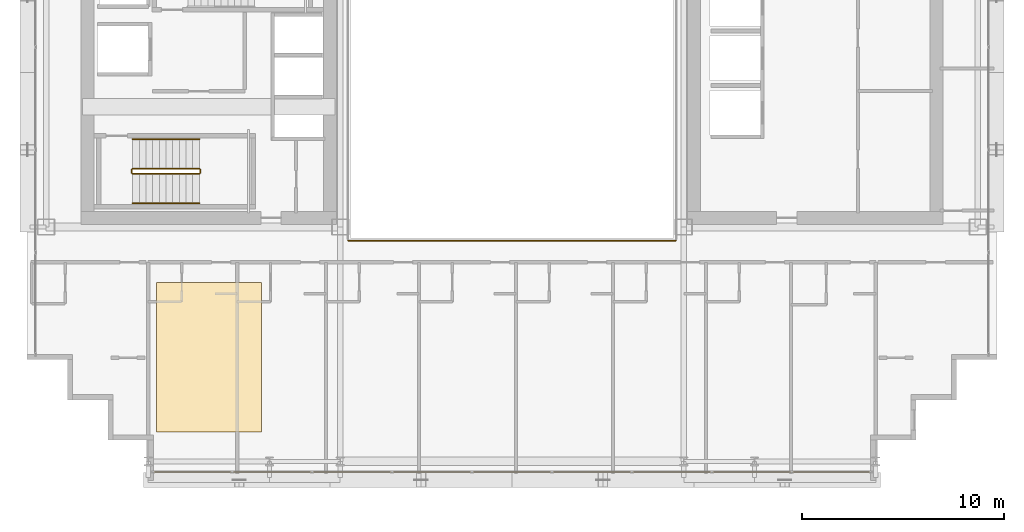
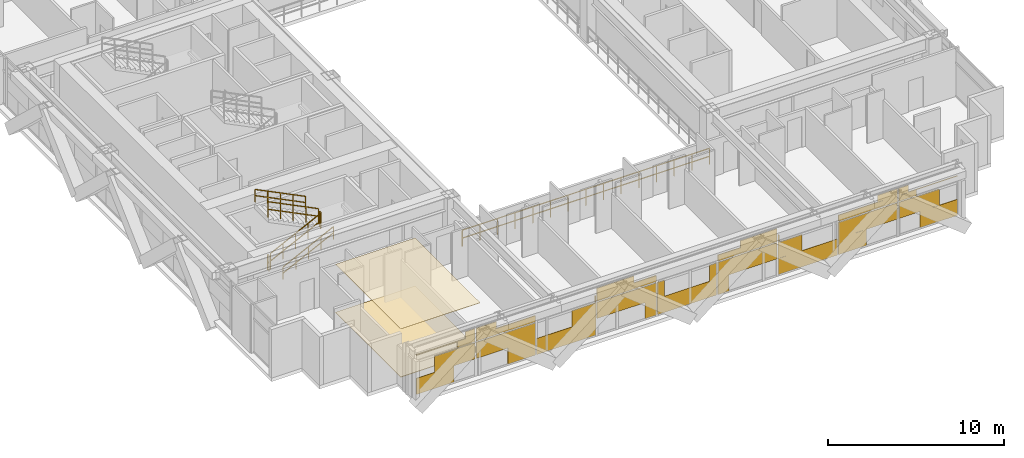
# One storey, part 33 of 36: 7 railings, 3 coverings.
"""IFC4 building model written with IfcOpenShell, lengths in metres."""

from ifc_helpers import new_model, si_unit, direction, frame, origin, origin_2d, place, context, subcontext, project, spatial, polyline, rectangle, outline, extrude, material, layer, layer_set, type_object, element, save


model = new_model("IFC4")

# Units and contexts
model_context = context("Model", 3, precision=1e-05, world=origin(), true_north=direction((0.0, 1.0)))
body_context = subcontext(model_context, "Body", "Model", "MODEL_VIEW")
ifc_project = project(units=[si_unit("LENGTHUNIT", "METRE"), si_unit("AREAUNIT", "SQUARE_METRE"), si_unit("VOLUMEUNIT", "CUBIC_METRE"), si_unit("PLANEANGLEUNIT", "RADIAN"), si_unit("MASSUNIT", "GRAM", prefix="KILO")], contexts=[model_context])

# Site, building, storey
site_placement = place(None, origin())
site = spatial("IfcSite", under=ifc_project, at=site_placement, CompositionType="ELEMENT")
building_placement = place(site_placement, origin())
building = spatial("IfcBuilding", under=site, at=building_placement, Name="Ocotamira Hotel", CompositionType="ELEMENT")
storey_placement = place(building_placement, frame((0.0, 0.0, 97.199951171875)))
storey = spatial("IfcBuildingStorey", under=building, at=storey_placement, Name="L23", CompositionType="ELEMENT", Elevation=97.199951171875)

# Coverings
ifc_material_1 = material(Name="Perforated acoustic gypsum ceiling board", Category="gypsum")
ifc_layer_1 = layer(ifc_material_1, 0.02490234375)
ifc_layer_set_1 = layer_set([ifc_layer_1], Name="Perforated acoustic gypsum ceiling board")
covering_type_1 = type_object("IfcCoveringType", Name="COV-CEIL-25", PredefinedType="CEILING", material=ifc_layer_set_1)
covering_1_placement = place(storey_placement, frame((0.0, 0.0, 3.3349609375)))
element("IfcCovering", 1, at=covering_1_placement, inside=storey, type_object=covering_type_1, Name="L23 Acoustic Ceiling", PredefinedType="CEILING", context=body_context, shape_type="SweptSolid", body=[
    extrude(outline(polyline([(14.39990234375, 4.39990234375), (19.60009765625, 4.39990234375), (19.60009765625, 11.800048828125), (14.39990234375, 11.800048828125), (14.39990234375, 4.39990234375)])), origin(), (0.0, 0.0, 1.0), 0.025146484375),
])
ifc_material_2 = material(Name="Honed desert travertine stone flooring", Category="masonry")
ifc_layer_2 = layer(ifc_material_2, 0.030029296875)
ifc_layer_set_2 = layer_set([ifc_layer_2], Name="Honed desert travertine stone flooring")
covering_type_2 = type_object("IfcCoveringType", Name="COV-FLOR-30", PredefinedType="FLOORING", material=ifc_layer_set_2)
covering_2_placement = place(storey_placement, origin())
element("IfcCovering", 2, at=covering_2_placement, inside=storey, type_object=covering_type_2, Name="L23 Honed Stone Floor Finish", PredefinedType="FLOORING", context=body_context, shape_type="SweptSolid", body=[
    extrude(outline(polyline([(14.39990234375, 4.39990234375), (19.60009765625, 4.39990234375), (19.60009765625, 11.800048828125), (14.39990234375, 11.800048828125), (14.39990234375, 4.39990234375)])), origin(), (0.0, 0.0, 1.0), 0.030029296875),
])
ifc_material_3 = material(Name="Insulated pale-metal aluminium spandrel panel", Category="aluminium")
ifc_layer_3 = layer(ifc_material_3, 0.044921875)
ifc_layer_set_3 = layer_set([ifc_layer_3], Name="Insulated pale-metal aluminium spandrel panel")
covering_type_3 = type_object("IfcCoveringType", Name="COV-INFILL-45", PredefinedType="CLADDING", material=ifc_layer_set_3)
covering_3_placement = place(storey_placement, origin())
element("IfcCovering", 3, at=covering_3_placement, inside=storey, type_object=covering_type_3, Name="L23 Curtain Wall Infill CW-3 CW-L23-S1", PredefinedType="CLADDING", context=body_context, shape_type="SweptSolid", body=[
    extrude(rectangle(XDim=2.464111328125, YDim=0.044921875, at=origin_2d()), frame((15.512451171875, 2.419921875, 0.07568359375), z_axis=(0.0, 0.0, 1.0), x_axis=(1.0, 0.0, 0.0)), (0.0, 0.0, 1.0), 1.11767578125),
    extrude(rectangle(XDim=2.650146484375, YDim=0.044921875, at=origin_2d()), frame((16.7900390625, 2.419921875, 1.1943359375), z_axis=(0.0, 0.0, 1.0), x_axis=(1.0, 0.0, 0.0)), (0.0, 0.0, 1.0), 1.117919921875),
    extrude(rectangle(XDim=3.834716796875, YDim=0.044921875, at=origin_2d()), frame((16.19775390625, 2.419921875, 2.78271484375), z_axis=(0.0, 0.0, 1.0), x_axis=(1.0, 0.0, 0.0)), (0.0, 0.0, 1.0), 0.0302734375),
    extrude(rectangle(XDim=1.157958984375, YDim=0.044921875, at=origin_2d()), frame((17.5361328125, 2.419921875, 2.38818359375), z_axis=(0.0, 0.0, 1.0), x_axis=(1.0, 0.0, 0.0)), (0.0, 0.0, 1.0), 0.3935546875),
    extrude(rectangle(XDim=0.625732421875, YDim=0.044921875, at=origin_2d()), frame((17.80224609375, 2.419921875, 2.813720703125), z_axis=(0.0, 0.0, 1.0), x_axis=(1.0, 0.0, 0.0)), (0.0, 0.0, 1.0), 0.470703125),
    extrude(rectangle(XDim=3.87451171875, YDim=0.044921875, at=origin_2d()), frame((20.13330078125, 2.419921875, 1.1943359375), z_axis=(0.0, 0.0, 1.0), x_axis=(1.0, 0.0, 0.0)), (0.0, 0.0, 1.0), 1.117919921875),
    extrude(rectangle(XDim=1.815185546875, YDim=0.044921875, at=origin_2d()), frame((21.1630859375, 2.419921875, 0.07568359375), z_axis=(0.0, 0.0, 1.0), x_axis=(1.0, 0.0, 0.0)), (0.0, 0.0, 1.0), 1.11767578125),
    extrude(rectangle(XDim=3.87451171875, YDim=0.044921875, at=origin_2d()), frame((20.13330078125, 2.419921875, 2.387939453125), z_axis=(0.0, 0.0, 1.0), x_axis=(1.0, 0.0, 0.0)), (0.0, 0.0, 1.0), 0.4248046875),
    extrude(rectangle(XDim=1.314697265625, YDim=0.044921875, at=origin_2d()), frame((18.853515625, 2.419921875, 2.813720703125), z_axis=(0.0, 0.0, 1.0), x_axis=(1.0, 0.0, 0.0)), (0.0, 0.0, 1.0), 0.470703125),
    extrude(rectangle(XDim=3.87451171875, YDim=0.044921875, at=origin_2d()), frame((24.0888671875, 2.419921875, 0.07568359375), z_axis=(0.0, 0.0, 1.0), x_axis=(1.0, 0.0, 0.0)), (0.0, 0.0, 1.0), 1.11767578125),
    extrude(rectangle(XDim=1.561279296875, YDim=0.044921875, at=origin_2d()), frame((25.24560546875, 2.419921875, 1.1943359375), z_axis=(0.0, 0.0, 1.0), x_axis=(1.0, 0.0, 0.0)), (0.0, 0.0, 1.0), 1.117919921875),
    extrude(rectangle(XDim=0.069091796875, YDim=0.044921875, at=origin_2d()), frame((25.99169921875, 2.419921875, 2.387939453125), z_axis=(0.0, 0.0, 1.0), x_axis=(1.0, 0.0, 0.0)), (0.0, 0.0, 1.0), 0.4248046875),
    extrude(rectangle(XDim=3.87451171875, YDim=0.044921875, at=origin_2d()), frame((28.04443359375, 2.419921875, 1.1943359375), z_axis=(0.0, 0.0, 1.0), x_axis=(1.0, 0.0, 0.0)), (0.0, 0.0, 1.0), 1.117919921875),
    extrude(rectangle(XDim=0.726318359375, YDim=0.044921875, at=origin_2d()), frame((29.61865234375, 2.419921875, 0.07568359375), z_axis=(0.0, 0.0, 1.0), x_axis=(1.0, 0.0, 0.0)), (0.0, 0.0, 1.0), 1.11767578125),
    extrude(rectangle(XDim=3.87451171875, YDim=0.044921875, at=origin_2d()), frame((28.04443359375, 2.419921875, 2.387939453125), z_axis=(0.0, 0.0, 1.0), x_axis=(1.0, 0.0, 0.0)), (0.0, 0.0, 1.0), 0.4248046875),
    extrude(rectangle(XDim=2.403564453125, YDim=0.044921875, at=origin_2d()), frame((27.308837890625, 2.419921875, 2.813720703125), z_axis=(0.0, 0.0, 1.0), x_axis=(1.0, 0.0, 0.0)), (0.0, 0.0, 1.0), 0.470703125),
    extrude(rectangle(XDim=3.87451171875, YDim=0.044921875, at=origin_2d()), frame((32.0, 2.419921875, 0.07568359375), z_axis=(0.0, 0.0, 1.0), x_axis=(1.0, 0.0, 0.0)), (0.0, 0.0, 1.0), 1.11767578125),
    extrude(rectangle(XDim=0.472412109375, YDim=0.044921875, at=origin_2d()), frame((30.298828125, 2.419921875, 1.1943359375), z_axis=(0.0, 0.0, 1.0), x_axis=(1.0, 0.0, 0.0)), (0.0, 0.0, 1.0), 1.117919921875),
    extrude(rectangle(XDim=0.472412109375, YDim=0.044921875, at=origin_2d()), frame((33.701171875, 2.419921875, 1.1943359375), z_axis=(0.0, 0.0, 1.0), x_axis=(1.0, 0.0, 0.0)), (0.0, 0.0, 1.0), 1.117919921875),
    extrude(rectangle(XDim=0.726318359375, YDim=0.044921875, at=origin_2d()), frame((34.38134765625, 2.419921875, 0.07568359375), z_axis=(0.0, 0.0, 1.0), x_axis=(1.0, 0.0, 0.0)), (0.0, 0.0, 1.0), 1.11767578125),
    extrude(rectangle(XDim=3.87451171875, YDim=0.044921875, at=origin_2d()), frame((35.95556640625, 2.419921875, 1.1943359375), z_axis=(0.0, 0.0, 1.0), x_axis=(1.0, 0.0, 0.0)), (0.0, 0.0, 1.0), 1.117919921875),
    extrude(rectangle(XDim=3.87451171875, YDim=0.044921875, at=origin_2d()), frame((35.95556640625, 2.419921875, 2.387939453125), z_axis=(0.0, 0.0, 1.0), x_axis=(1.0, 0.0, 0.0)), (0.0, 0.0, 1.0), 0.4248046875),
    extrude(rectangle(XDim=2.403564453125, YDim=0.044921875, at=origin_2d()), frame((36.691162109375, 2.419921875, 2.813720703125), z_axis=(0.0, 0.0, 1.0), x_axis=(1.0, 0.0, 0.0)), (0.0, 0.0, 1.0), 0.470703125),
    extrude(rectangle(XDim=3.87451171875, YDim=0.044921875, at=origin_2d()), frame((39.9111328125, 2.419921875, 0.07568359375), z_axis=(0.0, 0.0, 1.0), x_axis=(1.0, 0.0, 0.0)), (0.0, 0.0, 1.0), 1.11767578125),
    extrude(rectangle(XDim=1.561279296875, YDim=0.044921875, at=origin_2d()), frame((38.75439453125, 2.419921875, 1.1943359375), z_axis=(0.0, 0.0, 1.0), x_axis=(1.0, 0.0, 0.0)), (0.0, 0.0, 1.0), 1.117919921875),
    extrude(rectangle(XDim=0.069091796875, YDim=0.044921875, at=origin_2d()), frame((38.00830078125, 2.419921875, 2.387939453125), z_axis=(0.0, 0.0, 1.0), x_axis=(1.0, 0.0, 0.0)), (0.0, 0.0, 1.0), 0.4248046875),
    extrude(rectangle(XDim=1.815185546875, YDim=0.044921875, at=origin_2d()), frame((42.8369140625, 2.419921875, 0.07568359375), z_axis=(0.0, 0.0, 1.0), x_axis=(1.0, 0.0, 0.0)), (0.0, 0.0, 1.0), 1.11767578125),
    extrude(rectangle(XDim=3.87451171875, YDim=0.044921875, at=origin_2d()), frame((43.86669921875, 2.419921875, 1.1943359375), z_axis=(0.0, 0.0, 1.0), x_axis=(1.0, 0.0, 0.0)), (0.0, 0.0, 1.0), 1.117919921875),
    extrude(rectangle(XDim=3.87451171875, YDim=0.044921875, at=origin_2d()), frame((43.86669921875, 2.419921875, 2.387939453125), z_axis=(0.0, 0.0, 1.0), x_axis=(1.0, 0.0, 0.0)), (0.0, 0.0, 1.0), 0.4248046875),
    extrude(rectangle(XDim=1.314697265625, YDim=0.044921875, at=origin_2d()), frame((45.146484375, 2.419921875, 2.813720703125), z_axis=(0.0, 0.0, 1.0), x_axis=(1.0, 0.0, 0.0)), (0.0, 0.0, 1.0), 0.470703125),
    extrude(rectangle(XDim=2.650146484375, YDim=0.044921875, at=origin_2d()), frame((47.2099609375, 2.419921875, 1.1943359375), z_axis=(0.0, 0.0, 1.0), x_axis=(1.0, 0.0, 0.0)), (0.0, 0.0, 1.0), 1.117919921875),
    extrude(rectangle(XDim=2.464111328125, YDim=0.044921875, at=origin_2d()), frame((48.487548828125, 2.419921875, 0.07568359375), z_axis=(0.0, 0.0, 1.0), x_axis=(1.0, 0.0, 0.0)), (0.0, 0.0, 1.0), 1.11767578125),
    extrude(rectangle(XDim=1.157958984375, YDim=0.044921875, at=origin_2d()), frame((46.4638671875, 2.419921875, 2.38818359375), z_axis=(0.0, 0.0, 1.0), x_axis=(1.0, 0.0, 0.0)), (0.0, 0.0, 1.0), 0.3935546875),
    extrude(rectangle(XDim=3.834716796875, YDim=0.044921875, at=origin_2d()), frame((47.80224609375, 2.419921875, 2.78271484375), z_axis=(0.0, 0.0, 1.0), x_axis=(1.0, 0.0, 0.0)), (0.0, 0.0, 1.0), 0.0302734375),
    extrude(rectangle(XDim=0.625732421875, YDim=0.044921875, at=origin_2d()), frame((46.19775390625, 2.419921875, 2.813720703125), z_axis=(0.0, 0.0, 1.0), x_axis=(1.0, 0.0, 0.0)), (0.0, 0.0, 1.0), 0.470703125),
])

# Railings
ifc_material_4 = material(Name="Painted steel stair guardrail", Category="steel")
railing_type_1 = type_object("IfcRailingType", Name="RL-EDGE-1150", PredefinedType="GUARDRAIL", material=ifc_material_4)
railing_1_placement = place(storey_placement, frame((23.89990234375, 13.8798828125, 0.0)))
element("IfcRailing", 4, at=railing_1_placement, inside=storey, type_object=railing_type_1, Name="L23 Central Atrium Edge Guardrail S", PredefinedType="GUARDRAIL", context=body_context, shape_type="SweptSolid", body=[
    extrude(rectangle(XDim=0.048095703125, YDim=0.048095703125, at=origin_2d()), frame((0.0, 0.0, 1.1259765625), z_axis=(1.0, 0.0, 0.0), x_axis=(0.0, 1.0, 0.0)), (0.0, 0.0, 1.0), 16.2001953125),
    extrude(rectangle(XDim=0.048095703125, YDim=0.048095703125, at=origin_2d()), frame((0.0, 0.0, 0.574951171875), z_axis=(1.0, 0.0, 0.0), x_axis=(0.0, 1.0, 0.0)), (0.0, 0.0, 1.0), 16.2001953125),
    extrude(rectangle(XDim=0.0419921875, YDim=0.0419921875, at=origin_2d()), origin(), (0.0, 0.0, 1.0), 1.101806640625),
    extrude(rectangle(XDim=0.0419921875, YDim=0.0419921875, at=origin_2d()), frame((1.1572265625, 0.0, 0.0)), (0.0, 0.0, 1.0), 1.101806640625),
    extrude(rectangle(XDim=0.0419921875, YDim=0.0419921875, at=origin_2d()), frame((2.314208984375, 0.0, 0.0)), (0.0, 0.0, 1.0), 1.101806640625),
    extrude(rectangle(XDim=0.0419921875, YDim=0.0419921875, at=origin_2d()), frame((3.471435546875, 0.0, 0.0)), (0.0, 0.0, 1.0), 1.101806640625),
    extrude(rectangle(XDim=0.0419921875, YDim=0.0419921875, at=origin_2d()), frame((4.628662109375, 0.0, 0.0)), (0.0, 0.0, 1.0), 1.101806640625),
    extrude(rectangle(XDim=0.0419921875, YDim=0.0419921875, at=origin_2d()), frame((5.785888671875, 0.0, 0.0)), (0.0, 0.0, 1.0), 1.101806640625),
    extrude(rectangle(XDim=0.0419921875, YDim=0.0419921875, at=origin_2d()), frame((6.94287109375, 0.0, 0.0)), (0.0, 0.0, 1.0), 1.101806640625),
    extrude(rectangle(XDim=0.0419921875, YDim=0.0419921875, at=origin_2d()), frame((8.10009765625, 0.0, 0.0)), (0.0, 0.0, 1.0), 1.101806640625),
    extrude(rectangle(XDim=0.0419921875, YDim=0.0419921875, at=origin_2d()), frame((9.25732421875, 0.0, 0.0)), (0.0, 0.0, 1.0), 1.101806640625),
    extrude(rectangle(XDim=0.0419921875, YDim=0.0419921875, at=origin_2d()), frame((10.414306640625, 0.0, 0.0)), (0.0, 0.0, 1.0), 1.101806640625),
    extrude(rectangle(XDim=0.0419921875, YDim=0.0419921875, at=origin_2d()), frame((11.571533203125, 0.0, 0.0)), (0.0, 0.0, 1.0), 1.101806640625),
    extrude(rectangle(XDim=0.0419921875, YDim=0.0419921875, at=origin_2d()), frame((12.728759765625, 0.0, 0.0)), (0.0, 0.0, 1.0), 1.101806640625),
    extrude(rectangle(XDim=0.0419921875, YDim=0.0419921875, at=origin_2d()), frame((13.885986328125, 0.0, 0.0)), (0.0, 0.0, 1.0), 1.101806640625),
    extrude(rectangle(XDim=0.0419921875, YDim=0.0419921875, at=origin_2d()), frame((15.04296875, 0.0, 0.0)), (0.0, 0.0, 1.0), 1.101806640625),
    extrude(rectangle(XDim=0.0419921875, YDim=0.0419921875, at=origin_2d()), frame((16.2001953125, 0.0, 0.0)), (0.0, 0.0, 1.0), 1.101806640625),
])
ifc_material_5 = material(Name="Brushed stainless steel handrail", Category="steel")
railing_type_2 = type_object("IfcRailingType", Name="RL-HAND-900", PredefinedType="HANDRAIL", material=ifc_material_5)
railing_2_placement = place(storey_placement, frame((13.22998046875, 15.719970703125, 0.327392578125)))
element("IfcRailing", 5, at=railing_2_placement, inside=storey, type_object=railing_type_2, Name="L23 ST-1 stair handrail 1", PredefinedType="HANDRAIL", context=body_context, shape_type="SweptSolid", body=[
    extrude(rectangle(XDim=0.048095703125, YDim=0.048095703125, at=origin_2d()), frame((0.0, 0.0, 0.8759765625), z_axis=(0.895920123917, 0.0, 0.444215186098), x_axis=(0.0, 1.0, 0.0)), (0.0, 0.0, 1.0), 3.683349609375),
    extrude(rectangle(XDim=0.048095703125, YDim=0.048095703125, at=origin_2d()), frame((0.0, 0.0, 0.449951171875), z_axis=(0.895920123917, 0.0, 0.444215186098), x_axis=(0.0, 1.0, 0.0)), (0.0, 0.0, 1.0), 3.683349609375),
    extrude(rectangle(XDim=0.0419921875, YDim=0.0419921875, at=origin_2d()), origin(), (0.0, 0.0, 1.0), 0.851806640625),
    extrude(rectangle(XDim=0.0419921875, YDim=0.0419921875, at=origin_2d()), frame((0.824951171875, 0.0, 0.4091796875)), (0.0, 0.0, 1.0), 0.851806640625),
    extrude(rectangle(XDim=0.0419921875, YDim=0.0419921875, at=origin_2d()), frame((1.64990234375, 0.0, 0.818115234375)), (0.0, 0.0, 1.0), 0.851806640625),
    extrude(rectangle(XDim=0.0419921875, YDim=0.0419921875, at=origin_2d()), frame((2.47509765625, 0.0, 1.22705078125)), (0.0, 0.0, 1.0), 0.851806640625),
    extrude(rectangle(XDim=0.0419921875, YDim=0.0419921875, at=origin_2d()), frame((3.300048828125, 0.0, 1.63623046875)), (0.0, 0.0, 1.0), 0.851806640625),
])
railing_3_placement = place(storey_placement, frame((16.530029296875, 18.89990234375, 2.12744140625)))
element("IfcRailing", 6, at=railing_3_placement, inside=storey, type_object=railing_type_2, Name="L23 ST-1 stair handrail 2", PredefinedType="HANDRAIL", context=body_context, shape_type="SweptSolid", body=[
    extrude(rectangle(XDim=0.048095703125, YDim=0.048095703125, at=origin_2d()), frame((0.0, 0.0, 0.8759765625), z_axis=(-0.895920123917, 0.0, 0.444215186098), x_axis=(0.0, -1.0, 0.0)), (0.0, 0.0, 1.0), 3.683349609375),
    extrude(rectangle(XDim=0.048095703125, YDim=0.048095703125, at=origin_2d()), frame((0.0, 0.0, 0.449951171875), z_axis=(-0.895920123917, 0.0, 0.444215186098), x_axis=(0.0, -1.0, 0.0)), (0.0, 0.0, 1.0), 3.683349609375),
    extrude(rectangle(XDim=0.0419921875, YDim=0.0419921875, at=origin_2d()), origin(), (0.0, 0.0, 1.0), 0.851806640625),
    extrude(rectangle(XDim=0.0419921875, YDim=0.0419921875, at=origin_2d()), frame((-0.824951171875, 0.0, 0.4091796875)), (0.0, 0.0, 1.0), 0.851806640625),
    extrude(rectangle(XDim=0.0419921875, YDim=0.0419921875, at=origin_2d()), frame((-1.64990234375, 0.0, 0.818115234375)), (0.0, 0.0, 1.0), 0.851806640625),
    extrude(rectangle(XDim=0.0419921875, YDim=0.0419921875, at=origin_2d()), frame((-2.47509765625, 0.0, 1.22705078125)), (0.0, 0.0, 1.0), 0.851806640625),
    extrude(rectangle(XDim=0.0419921875, YDim=0.0419921875, at=origin_2d()), frame((-3.300048828125, 0.0, 1.63623046875)), (0.0, 0.0, 1.0), 0.851806640625),
])
railing_type_3 = type_object("IfcRailingType", Name="RL-STAIR-1100", PredefinedType="GUARDRAIL", material=ifc_material_4)
railing_4_placement = place(storey_placement, frame((13.22998046875, 17.179931640625, 0.16357421875)))
element("IfcRailing", 7, at=railing_4_placement, inside=storey, type_object=railing_type_3, Name="L23 ST-1 stair guard 1", PredefinedType="GUARDRAIL", context=body_context, shape_type="SweptSolid", body=[
    extrude(rectangle(XDim=0.048095703125, YDim=0.048095703125, at=origin_2d()), frame((0.0, 0.0, 1.076171875), z_axis=(0.895893744519, 0.0, 0.4442683857), x_axis=(0.0, 1.0, 0.0)), (0.0, 0.0, 1.0), 3.68359375),
    extrude(rectangle(XDim=0.048095703125, YDim=0.048095703125, at=origin_2d()), frame((0.0, 0.0, 0.550048828125), z_axis=(0.895893744519, 0.0, 0.4442683857), x_axis=(0.0, 1.0, 0.0)), (0.0, 0.0, 1.0), 3.68359375),
    extrude(rectangle(XDim=0.0419921875, YDim=0.0419921875, at=origin_2d()), origin(), (0.0, 0.0, 1.0), 1.052001953125),
    extrude(rectangle(XDim=0.0419921875, YDim=0.0419921875, at=origin_2d()), frame((0.824951171875, 0.0, 0.4091796875)), (0.0, 0.0, 1.0), 1.052001953125),
    extrude(rectangle(XDim=0.0419921875, YDim=0.0419921875, at=origin_2d()), frame((1.64990234375, 0.0, 0.818359375)), (0.0, 0.0, 1.0), 1.052001953125),
    extrude(rectangle(XDim=0.0419921875, YDim=0.0419921875, at=origin_2d()), frame((2.47509765625, 0.0, 1.227294921875)), (0.0, 0.0, 1.0), 1.052001953125),
    extrude(rectangle(XDim=0.0419921875, YDim=0.0419921875, at=origin_2d()), frame((3.300048828125, 0.0, 1.636474609375)), (0.0, 0.0, 1.0), 1.052001953125),
])
railing_5_placement = place(storey_placement, frame((16.580078125, 17.22998046875, 1.800048828125)))
element("IfcRailing", 8, at=railing_5_placement, inside=storey, type_object=railing_type_3, Name="L23 ST-1 stair guard 2", PredefinedType="GUARDRAIL", context=body_context, shape_type="SweptSolid", body=[
    extrude(rectangle(XDim=0.048095703125, YDim=0.048095703125, at=origin_2d()), frame((0.0, 0.0, 1.076171875), z_axis=(0.0, 1.0, 0.0), x_axis=(-1.0, 0.0, 0.0)), (0.0, 0.0, 1.0), 0.159912109375),
    extrude(rectangle(XDim=0.048095703125, YDim=0.048095703125, at=origin_2d()), frame((0.0, 0.0, 0.550048828125), z_axis=(0.0, 1.0, 0.0), x_axis=(-1.0, 0.0, 0.0)), (0.0, 0.0, 1.0), 0.159912109375),
    extrude(rectangle(XDim=0.0419921875, YDim=0.0419921875, at=origin_2d()), origin(), (0.0, 0.0, 1.0), 1.052001953125),
    extrude(rectangle(XDim=0.0419921875, YDim=0.0419921875, at=origin_2d()), frame((0.0, 0.159912109375, 0.0)), (0.0, 0.0, 1.0), 1.052001953125),
])
railing_6_placement = place(storey_placement, frame((16.530029296875, 17.43994140625, 1.963623046875)))
element("IfcRailing", 9, at=railing_6_placement, inside=storey, type_object=railing_type_3, Name="L23 ST-1 stair guard 3", PredefinedType="GUARDRAIL", context=body_context, shape_type="SweptSolid", body=[
    extrude(rectangle(XDim=0.048095703125, YDim=0.048095703125, at=origin_2d()), frame((0.0, 0.0, 1.076171875), z_axis=(-0.895893744519, 0.0, 0.4442683857), x_axis=(0.0, -1.0, 0.0)), (0.0, 0.0, 1.0), 3.68359375),
    extrude(rectangle(XDim=0.048095703125, YDim=0.048095703125, at=origin_2d()), frame((0.0, 0.0, 0.550048828125), z_axis=(-0.895893744519, 0.0, 0.4442683857), x_axis=(0.0, -1.0, 0.0)), (0.0, 0.0, 1.0), 3.68359375),
    extrude(rectangle(XDim=0.0419921875, YDim=0.0419921875, at=origin_2d()), origin(), (0.0, 0.0, 1.0), 1.052001953125),
    extrude(rectangle(XDim=0.0419921875, YDim=0.0419921875, at=origin_2d()), frame((-0.824951171875, 0.0, 0.4091796875)), (0.0, 0.0, 1.0), 1.052001953125),
    extrude(rectangle(XDim=0.0419921875, YDim=0.0419921875, at=origin_2d()), frame((-1.64990234375, 0.0, 0.818359375)), (0.0, 0.0, 1.0), 1.052001953125),
    extrude(rectangle(XDim=0.0419921875, YDim=0.0419921875, at=origin_2d()), frame((-2.47509765625, 0.0, 1.227294921875)), (0.0, 0.0, 1.0), 1.052001953125),
    extrude(rectangle(XDim=0.0419921875, YDim=0.0419921875, at=origin_2d()), frame((-3.300048828125, 0.0, 1.636474609375)), (0.0, 0.0, 1.0), 1.052001953125),
])
railing_7_placement = place(storey_placement, frame((13.179931640625, 17.22998046875, 0.0)))
element("IfcRailing", 10, at=railing_7_placement, inside=storey, type_object=railing_type_3, Name="L23 ST-1 stair guard 4", PredefinedType="GUARDRAIL", context=body_context, shape_type="SweptSolid", body=[
    extrude(rectangle(XDim=0.048095703125, YDim=0.048095703125, at=origin_2d()), frame((0.0, 0.0, 1.076171875), z_axis=(0.0, 1.0, 0.0), x_axis=(-1.0, 0.0, 0.0)), (0.0, 0.0, 1.0), 0.159912109375),
    extrude(rectangle(XDim=0.048095703125, YDim=0.048095703125, at=origin_2d()), frame((0.0, 0.0, 0.550048828125), z_axis=(0.0, 1.0, 0.0), x_axis=(-1.0, 0.0, 0.0)), (0.0, 0.0, 1.0), 0.159912109375),
    extrude(rectangle(XDim=0.0419921875, YDim=0.0419921875, at=origin_2d()), origin(), (0.0, 0.0, 1.0), 1.052001953125),
    extrude(rectangle(XDim=0.0419921875, YDim=0.0419921875, at=origin_2d()), frame((0.0, 0.159912109375, 0.0)), (0.0, 0.0, 1.0), 1.052001953125),
])

save(model, "model.ifc")
